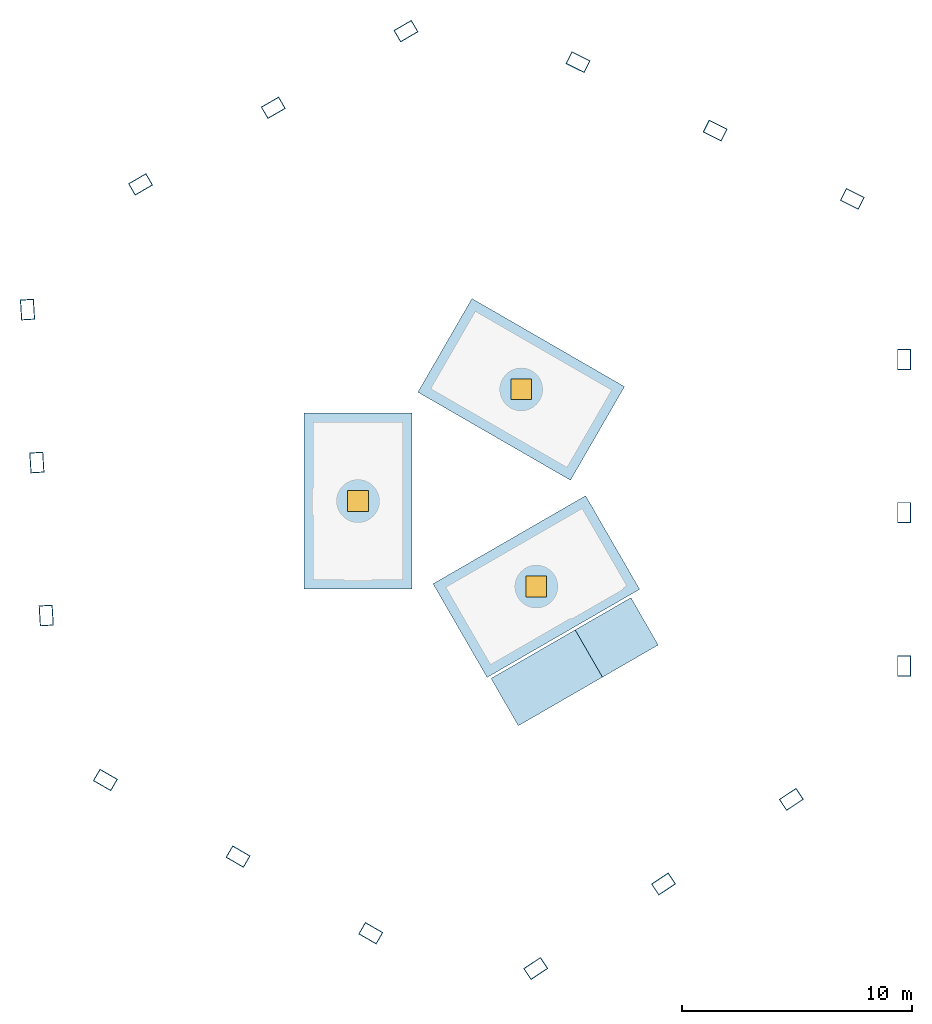
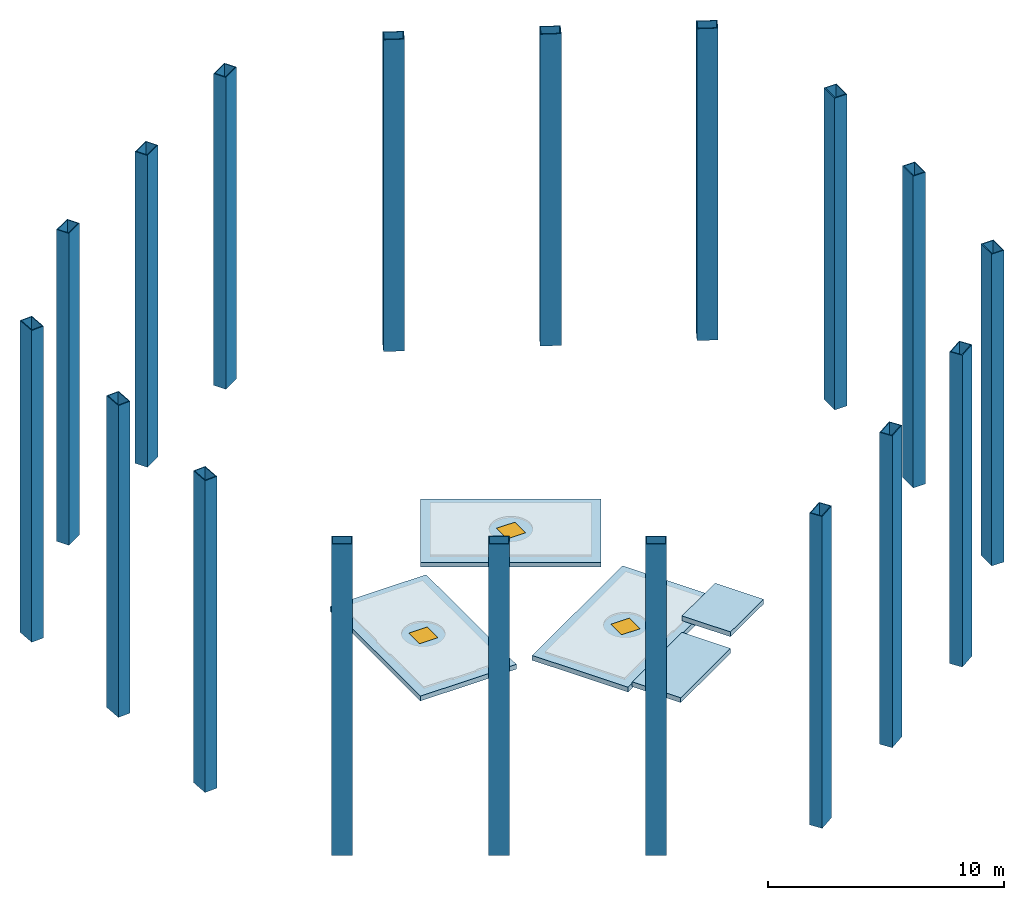
# One storey, part 1 of 2: 18 columns, 5 slabs, 3 windows, 3 openings.
"""IFC4 building model written with IfcOpenShell, lengths in metres."""

from ifc_helpers import new_model, si_unit, direction, frame, origin, origin_2d, place, context, subcontext, project, spatial, polyline, rectangle, hollow_rectangle, outline, extrude, material, layer, layer_set, material_profile, profile_set, type_object, element, fill, save


model = new_model("IFC4")

# Units and contexts
model_context = context("Model", 3, precision=1e-05, world=origin(), true_north=direction((0.0, 1.0)))
body_context = subcontext(model_context, "Body", "Model", "MODEL_VIEW")
ifc_project = project(units=[si_unit("LENGTHUNIT", "METRE"), si_unit("AREAUNIT", "SQUARE_METRE"), si_unit("VOLUMEUNIT", "CUBIC_METRE"), si_unit("PLANEANGLEUNIT", "RADIAN"), si_unit("MASSUNIT", "GRAM", prefix="KILO")], contexts=[model_context])

# Site, building, storey
site_placement = place(None, origin())
site = spatial("IfcSite", under=ifc_project, at=site_placement, CompositionType="ELEMENT")
building_placement = place(site_placement, origin())
building = spatial("IfcBuilding", under=site, at=building_placement, Name="Vanh Sen Convention Tower", CompositionType="ELEMENT")
storey_placement = place(building_placement, frame((0.0, 0.0, 308.60009765625)))
storey = spatial("IfcBuildingStorey", under=building, at=storey_placement, Name="Upper roof", CompositionType="ELEMENT", Elevation=308.60009765625)

# Columns
ifc_material_1 = material(Name="Steel S460", Category="steel")
ifc_material_profile = material_profile(ifc_material_1, hollow_rectangle(XDim=0.60009765625, YDim=0.89990234375, WallThickness=0.0400390625, at=origin_2d()), Name="BOX 900X600X40")
ifc_profile_set = profile_set([ifc_material_profile], Name="Steel S460")
column_type = type_object("IfcColumnType", Name="Crown column BOX 900X600X40", PredefinedType="COLUMN", material=ifc_profile_set)
for number, where, z_axis, x_axis, name in (
    (1, (18.800048828125, -7.546630859375, 0.0), (0.0, 0.0, 1.0), (-1.0, 0.0, 0.0), "CROWN FRAME column 01"),
    (2, (18.800048828125, -0.88330078125, 0.0), (0.0, 0.0, 1.0), (-1.0, 0.0, 0.0), "CROWN FRAME column 02"),
    (3, (18.800048828125, 5.77978515625, 0.0), (0.0, 0.0, 1.0), (-1.0, 0.0, 0.0), "CROWN FRAME column 03"),
    (4, (16.542724609375, 12.75927734375, 0.0), (0.0, 0.0, 1.0), (-0.44619781311, -0.894934361602, 0.0), "CROWN FRAME column 04"),
    (5, (10.57958984375, 15.732421875, 0.0), (0.0, 0.0, 1.0), (-0.44619781311, -0.894934361602, 0.0), "CROWN FRAME column 05"),
    (6, (4.6162109375, 18.70556640625, 0.0), (0.0, 0.0, 1.0), (-0.44619781311, -0.894934361602, 0.0), "CROWN FRAME column 06"),
    (7, (-2.8642578125, 20.0546875, 0.0), (0.0, 0.0, 1.0), (0.5, -0.866025403784, 0.0), "CROWN FRAME column 07"),
    (8, (-8.635009765625, 16.722900390625, 0.0), (0.0, 0.0, 1.0), (0.5, -0.866025403784, 0.0), "CROWN FRAME column 08"),
    (9, (-14.405517578125, 13.391357421875, 0.0), (0.0, 0.0, 1.0), (0.5, -0.866025403784, 0.0), "CROWN FRAME column 09"),
    (10, (-19.3212890625, 7.94677734375, 0.0), (0.0, 0.0, 1.0), (0.998134798422, 0.061048539535, 0.0), "CROWN FRAME column 10"),
    (11, (-18.914306640625, 1.2958984375, 0.0), (0.0, 0.0, 1.0), (0.998134798422, 0.061048539535, 0.0), "CROWN FRAME column 11"),
    (12, (-18.507568359375, -5.35498046875, 0.0), (0.0, 0.0, 1.0), (0.998134798422, 0.061048539535, 0.0), "CROWN FRAME column 12"),
    (13, (-15.935791015625, -12.5078125, 0.0), (0.0, 0.0, 1.0), (0.5, 0.866025403784, 0.0), "CROWN FRAME column 13"),
    (14, (-10.1650390625, -15.839599609375, 0.0), (0.0, 0.0, 1.0), (0.5, 0.866025403784, 0.0), "CROWN FRAME column 14"),
    (15, (-4.39453125, -19.171142578125, 0.0), (0.0, 0.0, 1.0), (0.5, 0.866025403784, 0.0), "CROWN FRAME column 15"),
    (16, (2.7783203125, -20.7060546875, 0.0), (0.0, 0.0, 1.0), (-0.551936985312, 0.833885822067, 0.0), "CROWN FRAME column 16"),
    (17, (8.3349609375, -17.0283203125, 0.0), (0.0, 0.0, 1.0), (-0.551936985312, 0.833885822067, 0.0), "CROWN FRAME column 17"),
    (18, (13.891357421875, -13.3505859375, 0.0), (0.0, 0.0, 1.0), (-0.551936985312, 0.833885822067, 0.0), "CROWN FRAME column 18"),
):
    element("IfcColumn", number, at=place(storey_placement, frame(where, z_axis=z_axis, x_axis=x_axis)), inside=storey, type_object=column_type, Name=name, PredefinedType="COLUMN", context=body_context, shape_type="SweptSolid", body=[
        extrude(hollow_rectangle(XDim=0.60009765625, YDim=0.89990234375, WallThickness=0.0400390625, at=origin_2d()), origin(), (0.0, 0.0, 1.0), 16.14990234375),
    ])

# Slab, opening, window
ifc_material_2 = material(Name="Concrete C40/50", Category="concrete")
ifc_layer_1 = layer(ifc_material_2, 0.25)
ifc_layer_set_1 = layer_set([ifc_layer_1], Name="Concrete C40/50")
slab_type_1 = type_object("IfcSlabType", Name="Head-house roof slab 250", PredefinedType="ROOF", material=ifc_layer_set_1)
slab_1_placement = place(storey_placement, frame((0.0, 0.0, -0.25)))
slab_1 = element("IfcSlab", 19, at=slab_1_placement, inside=storey, type_object=slab_type_1, Name="Head-house roof ST1", PredefinedType="ROOF", context=body_context, shape_type="SweptSolid", body=[
    extrude(outline(polyline([(4.2880859375, 0.526611328125), (6.637939453125, 4.596923828125), (0.00390625, 8.427001953125), (-2.345947265625, 4.3564453125), (4.2880859375, 0.526611328125)])), origin(), (0.0, 0.0, 1.0), 0.25),
])
opening_1_placement = place(slab_1_placement, frame((2.14599609375, 4.476806640625, -0.010009765625)))
opening_1 = element("IfcOpeningElement", 20, at=opening_1_placement, cuts=slab_1, Name="Opening RH2", PredefinedType="OPENING", context=body_context, shape_type="SweptSolid", body=[
    extrude(rectangle(XDim=0.89990234375, YDim=0.89990234375, at=origin_2d()), origin(), (0.0, 0.0, 1.0), 0.27001953125),
])
ifc_material_3 = material(Name="Galvanised steel hatch with insulated lid", Category="steel")
window_type = type_object("IfcWindowType", Name="Head-house roof hatch 900 x 900", PartitioningType="SINGLE_PANEL", PredefinedType="SKYLIGHT", material=ifc_material_3)
window_1_placement = place(opening_1_placement, frame((0.0, 0.0, 0.2099609375)))
window_1 = element("IfcWindow", 21, at=window_1_placement, inside=storey, type_object=window_type, Name="Roof hatch RH2 ST1", OverallHeight=0.89990234375, OverallWidth=0.89990234375, PartitioningType="SINGLE_PANEL", PredefinedType="SKYLIGHT", context=body_context, shape_type="SweptSolid", body=[
    extrude(rectangle(XDim=0.89990234375, YDim=0.89990234375, at=origin_2d()), origin(), (0.0, 0.0, 1.0), 0.050048828125),
])
fill(opening_1, window_1)

slab_2_placement = place(storey_placement, frame((0.0, 0.0, -0.25)))
slab_2 = element("IfcSlab", 22, at=slab_2_placement, inside=storey, type_object=slab_type_1, Name="Head-house roof ST2", PredefinedType="ROOF", context=body_context, shape_type="SweptSolid", body=[
    extrude(outline(polyline([(-2.60009765625, 3.449951171875), (-7.300048828125, 3.449951171875), (-7.300048828125, -4.2099609375), (-2.60009765625, -4.2099609375), (-2.60009765625, 3.449951171875)])), origin(), (0.0, 0.0, 1.0), 0.25),
])
opening_2_placement = place(slab_2_placement, frame((-4.949951171875, -0.3798828125, -0.010009765625)))
opening_2 = element("IfcOpeningElement", 23, at=opening_2_placement, cuts=slab_2, Name="Opening RH2", PredefinedType="OPENING", context=body_context, shape_type="SweptSolid", body=[
    extrude(rectangle(XDim=0.89990234375, YDim=0.89990234375, at=origin_2d()), origin(), (0.0, 0.0, 1.0), 0.27001953125),
])
window_2_placement = place(opening_2_placement, frame((0.0, 0.0, 0.2099609375)))
window_2 = element("IfcWindow", 24, at=window_2_placement, inside=storey, type_object=window_type, Name="Roof hatch RH2 ST2", OverallHeight=0.89990234375, OverallWidth=0.89990234375, PartitioningType="SINGLE_PANEL", PredefinedType="SKYLIGHT", context=body_context, shape_type="SweptSolid", body=[
    extrude(rectangle(XDim=0.89990234375, YDim=0.89990234375, at=origin_2d()), origin(), (0.0, 0.0, 1.0), 0.050048828125),
])
fill(opening_2, window_2)

slab_3_placement = place(storey_placement, frame((0.0, 0.0, -0.25)))
slab_3 = element("IfcSlab", 25, at=slab_3_placement, inside=storey, type_object=slab_type_1, Name="Head-house roof ST3", PredefinedType="ROOF", context=body_context, shape_type="SweptSolid", body=[
    extrude(outline(polyline([(-1.68798828125, -3.9765625), (0.662109375, -8.047119140625), (7.2958984375, -4.217041015625), (4.946044921875, -0.146484375), (-1.68798828125, -3.9765625)])), origin(), (0.0, 0.0, 1.0), 0.25),
])
opening_3_placement = place(slab_3_placement, frame((2.803955078125, -4.0966796875, -0.010009765625)))
opening_3 = element("IfcOpeningElement", 26, at=opening_3_placement, cuts=slab_3, Name="Opening RH2", PredefinedType="OPENING", context=body_context, shape_type="SweptSolid", body=[
    extrude(rectangle(XDim=0.89990234375, YDim=0.89990234375, at=origin_2d()), origin(), (0.0, 0.0, 1.0), 0.27001953125),
])
window_3_placement = place(opening_3_placement, frame((0.0, 0.0, 0.2099609375)))
window_3 = element("IfcWindow", 27, at=window_3_placement, inside=storey, type_object=window_type, Name="Roof hatch RH2 ST3", OverallHeight=0.89990234375, OverallWidth=0.89990234375, PartitioningType="SINGLE_PANEL", PredefinedType="SKYLIGHT", context=body_context, shape_type="SweptSolid", body=[
    extrude(rectangle(XDim=0.89990234375, YDim=0.89990234375, at=origin_2d()), origin(), (0.0, 0.0, 1.0), 0.050048828125),
])
fill(opening_3, window_3)

# Slabs
ifc_layer_2 = layer(ifc_material_2, 0.25)
ifc_layer_set_2 = layer_set([ifc_layer_2], Name="Concrete C40/50")
slab_type_2 = type_object("IfcSlabType", Name="Lift overrun roof slab 250", PredefinedType="ROOF", material=ifc_layer_set_2)
slab_4_placement = place(storey_placement, origin())
element("IfcSlab", 28, at=slab_4_placement, inside=storey, type_object=slab_type_2, Name="Service lift overrun roof lobby", PredefinedType="ROOF", context=body_context, shape_type="SweptSolid", body=[
    extrude(outline(polyline([(0.8330078125, -8.0927734375), (2.0205078125, -10.1494140625), (5.679443359375, -8.037109375), (4.491943359375, -5.980224609375), (0.8330078125, -8.0927734375)])), origin(), (0.0, 0.0, 1.0), 0.25),
])
slab_5_placement = place(storey_placement, frame((0.0, 0.0, 0.849853515625)))
element("IfcSlab", 29, at=slab_5_placement, inside=storey, type_object=slab_type_2, Name="Service lift overrun roof shaft", PredefinedType="ROOF", context=body_context, shape_type="SweptSolid", body=[
    extrude(outline(polyline([(4.491943359375, -5.980224609375), (5.679443359375, -8.037109375), (8.104248046875, -6.636962890625), (6.916748046875, -4.580078125), (4.491943359375, -5.980224609375)])), origin(), (0.0, 0.0, 1.0), 0.25),
])

save(model, "model.ifc")
